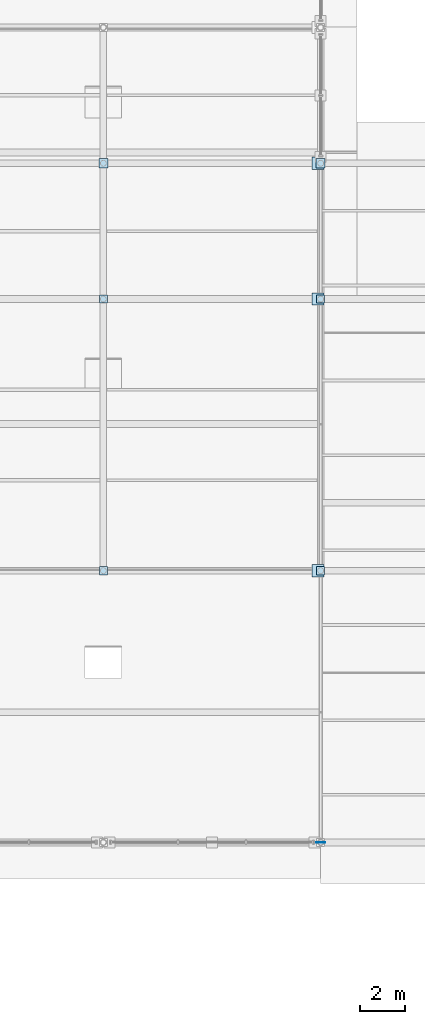
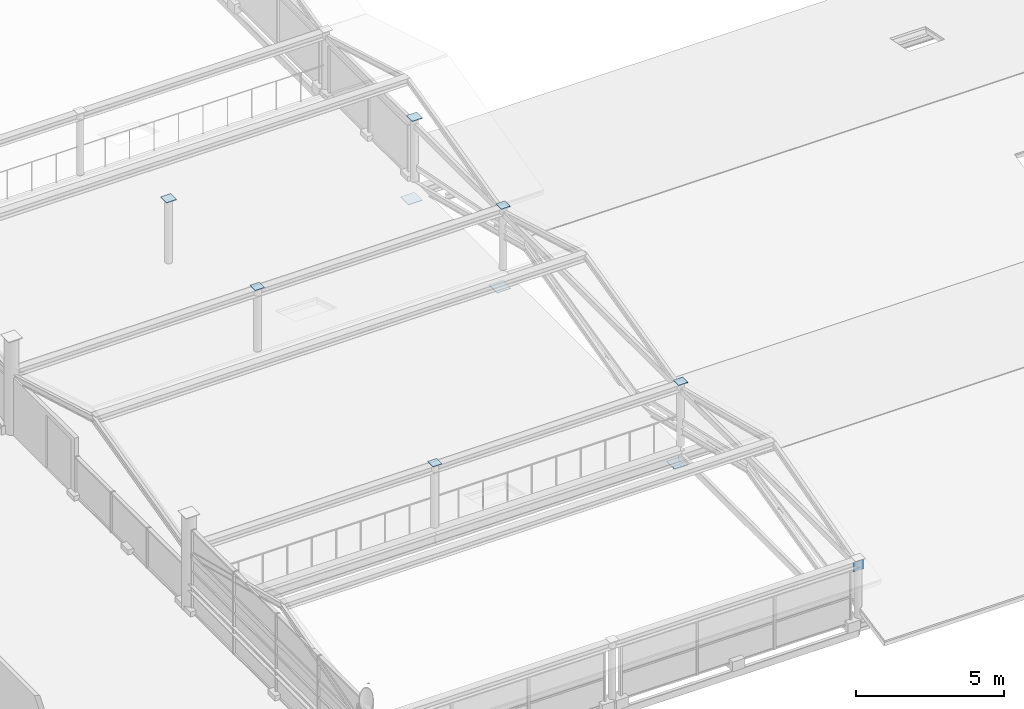
# One storey, part 99 of 117: 10 plates.
"""IFC4 building model written with IfcOpenShell, lengths in metres."""

from ifc_helpers import new_model, si_unit, direction, frame, origin, origin_2d, place, context, subcontext, project, spatial, rectangle, extrude, material, layer, layer_set, type_object, element, save


model = new_model("IFC4")

# Units and contexts
model_context = context("Model", 3, precision=1e-05, world=origin(), true_north=direction((0.0, 1.0)))
body_context = subcontext(model_context, "Body", "Model", "MODEL_VIEW")
ifc_project = project(units=[si_unit("LENGTHUNIT", "METRE"), si_unit("AREAUNIT", "SQUARE_METRE"), si_unit("VOLUMEUNIT", "CUBIC_METRE"), si_unit("PLANEANGLEUNIT", "RADIAN"), si_unit("MASSUNIT", "GRAM", prefix="KILO")], contexts=[model_context])

# Site, building, storey
site_placement = place(None, origin())
site = spatial("IfcSite", under=ifc_project, at=site_placement, CompositionType="ELEMENT")
building_placement = place(site_placement, origin())
building = spatial("IfcBuilding", under=site, at=building_placement, Name="Merenkruunu Market Hall", CompositionType="ELEMENT")
storey_placement = place(building_placement, frame((0.0, 0.0, 10.199951171875)))
storey = spatial("IfcBuildingStorey", under=building, at=storey_placement, Name="L02", CompositionType="ELEMENT", Elevation=10.199951171875)

# Plates
ifc_material = material(Name="Steel S355ML", Category="steel")
ifc_layer_1 = layer(ifc_material, 0.02001953125)
ifc_layer_set_1 = layer_set([ifc_layer_1], Name="Steel S355ML")
plate_type_1 = type_object("IfcPlateType", Name="Truss Gusset Or Cap Plate CP01", PredefinedType="USERDEFINED", material=ifc_layer_set_1)
for number, where, z_axis, x_axis, name in (
    (1, (67.199951171875, 27.60009765625, 2.59814453125), (0.0, 0.0, 1.0), (1.0, 0.0, 0.0), "PLT-CAP-030"),
    (2, (67.199951171875, 39.60009765625, 2.59814453125), (0.0, 0.0, 1.0), (1.0, 0.0, 0.0), "PLT-CAP-031"),
    (3, (76.800048828125, 27.60009765625, 2.59814453125), (0.0, 0.0, 1.0), (1.0, 0.0, 0.0), "PLT-CAP-040"),
    (4, (76.800048828125, 39.60009765625, 2.59814453125), (0.0, 0.0, 1.0), (1.0, 0.0, 0.0), "PLT-CAP-041"),
):
    element("IfcPlate", number, at=place(storey_placement, frame(where, z_axis=z_axis, x_axis=x_axis)), inside=storey, type_object=plate_type_1, Name=name, ObjectType="GUSSET_PLATE", PredefinedType="USERDEFINED", context=body_context, shape_type="SweptSolid", body=[
        extrude(rectangle(XDim=0.360107421875, YDim=0.360107421875, at=origin_2d()), origin(), (0.0, 0.0, 1.0), 0.02001953125),
    ])
ifc_layer_2 = layer(ifc_material, 0.02392578125)
ifc_layer_set_2 = layer_set([ifc_layer_2], Name="Steel S355ML")
plate_type_2 = type_object("IfcPlateType", Name="Truss Gusset Or Cap Plate CP03", PredefinedType="USERDEFINED", material=ifc_layer_set_2)
for number, where, z_axis, x_axis, name in (
    (5, (76.679931640625, 27.60009765625, -0.73388671875), (0.0, 0.0, 1.0), (1.0, 0.0, 0.0), "PLT-SB-SEAT-E-01"),
    (6, (76.679931640625, 39.60009765625, -0.73388671875), (0.0, 0.0, 1.0), (1.0, 0.0, 0.0), "PLT-SB-SEAT-E-02"),
    (7, (76.679931640625, 45.60009765625, -0.73388671875), (0.0, 0.0, 1.0), (1.0, 0.0, 0.0), "PLT-SB-SEAT-E-03"),
):
    element("IfcPlate", number, at=place(storey_placement, frame(where, z_axis=z_axis, x_axis=x_axis)), inside=storey, type_object=plate_type_2, Name=name, ObjectType="GUSSET_PLATE", PredefinedType="USERDEFINED", context=body_context, shape_type="SweptSolid", body=[
        extrude(rectangle(XDim=0.5400390625, YDim=0.5400390625, at=origin_2d()), origin(), (0.0, 0.0, 1.0), 0.02392578125),
    ])
ifc_layer_3 = layer(ifc_material, 0.02392578125)
ifc_layer_set_3 = layer_set([ifc_layer_3], Name="Steel S355ML")
plate_type_3 = type_object("IfcPlateType", Name="Truss Gusset Or Cap Plate CP06", PredefinedType="USERDEFINED", material=ifc_layer_set_3)
plate_placement = place(storey_placement, frame((76.800048828125, 15.590087890625, 2.090087890625), z_axis=(0.0, 0.0, 1.0), x_axis=(1.0, 0.0, 0.0)))
element("IfcPlate", 8, at=plate_placement, inside=storey, type_object=plate_type_3, Name="PLT-SPCAP-05", ObjectType="GUSSET_PLATE", PredefinedType="USERDEFINED", context=body_context, shape_type="SweptSolid", body=[
    extrude(rectangle(XDim=0.39990234375, YDim=0.02392578125, at=origin_2d()), origin(), (0.0, 0.0, 1.0), 0.39990234375),
])
for number, where, z_axis, x_axis, name in (
    (9, (67.199951171875, 45.60009765625, 2.60009765625), (0.0, 0.0, 1.0), (1.0, 0.0, 0.0), "PLT-COLTOP-CAP-01"),
    (10, (76.800048828125, 45.60009765625, 2.60009765625), (0.0, 0.0, 1.0), (1.0, 0.0, 0.0), "PLT-COLTOP-CAP-02"),
):
    element("IfcPlate", number, at=place(storey_placement, frame(where, z_axis=z_axis, x_axis=x_axis)), inside=storey, type_object=plate_type_3, Name=name, ObjectType="GUSSET_PLATE", PredefinedType="USERDEFINED", context=body_context, shape_type="SweptSolid", body=[
        extrude(rectangle(XDim=0.39990234375, YDim=0.39990234375, at=origin_2d()), origin(), (0.0, 0.0, 1.0), 0.02392578125),
    ])

save(model, "model.ifc")
